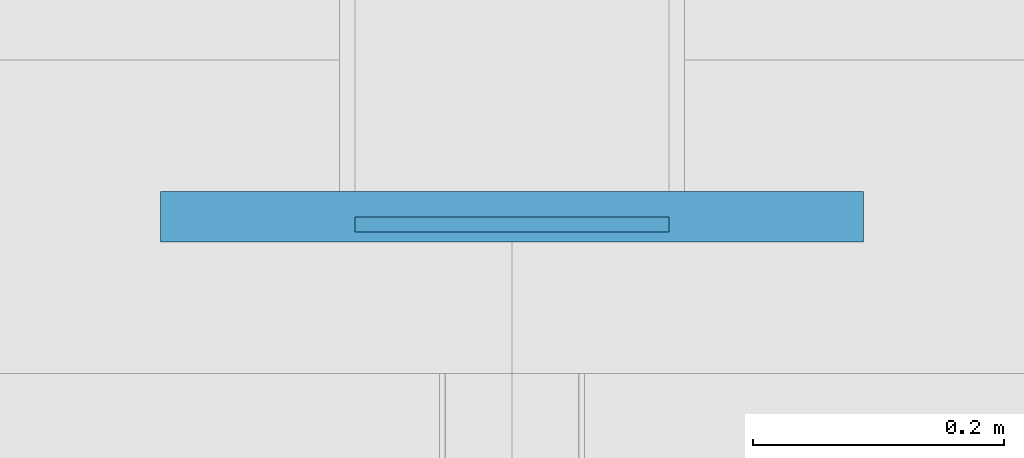
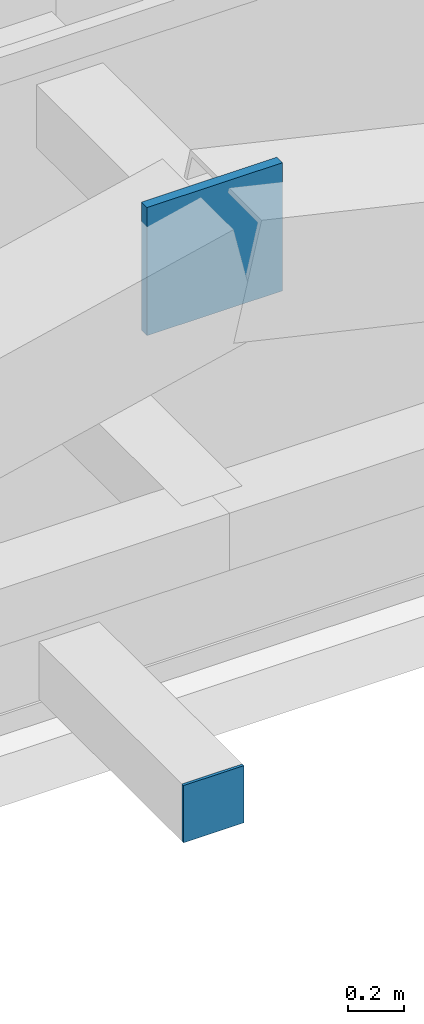
# One storey, part 45 of 59: 2 plates.
"""IFC4 building model written with IfcOpenShell, lengths in metres."""

from ifc_helpers import new_model, si_unit, direction, frame, origin, origin_2d, place, context, subcontext, project, spatial, rectangle, extrude, source, transform, mapped, material, layer, layer_set, type_object, element, save


model = new_model("IFC4")

# Units and contexts
model_context = context("Model", 3, precision=1e-05, world=origin(), true_north=direction((0.0, 1.0)))
body_context = subcontext(model_context, "Body", "Model", "MODEL_VIEW")
ifc_project = project(units=[si_unit("LENGTHUNIT", "METRE"), si_unit("AREAUNIT", "SQUARE_METRE"), si_unit("VOLUMEUNIT", "CUBIC_METRE"), si_unit("PLANEANGLEUNIT", "RADIAN"), si_unit("MASSUNIT", "GRAM", prefix="KILO")], contexts=[model_context])

# Site, building, storey
site_placement = place(None, origin())
site = spatial("IfcSite", under=ifc_project, at=site_placement, CompositionType="ELEMENT")
building_placement = place(site_placement, origin())
building = spatial("IfcBuilding", under=site, at=building_placement, Name="Taldren Reach Tower", CompositionType="ELEMENT")
storey_placement = place(building_placement, frame((0.0, 0.0, 45.14990234375)))
storey = spatial("IfcBuildingStorey", under=building, at=storey_placement, Name="L13", CompositionType="ELEMENT", Elevation=45.14990234375)

# Plates
ifc_material_1 = material(Name="Steel Gr 450 (C450L0)", Category="steel")
ifc_layer_1 = layer(ifc_material_1, 0.0400390625)
ifc_layer_set_1 = layer_set([ifc_layer_1], Name="Steel Gr 450 (C450L0)")
plate_type_1 = type_object("IfcPlateType", Name="PL-GUSSET-40", PredefinedType="SHEET", material=ifc_layer_set_1)
shared_shape_1 = source(origin(), body_context, "Body", "SweptSolid", [
    extrude(rectangle(XDim=0.56005859375, YDim=0.0400390625, at=origin_2d()), origin(), (0.0, 0.0, 1.0), 0.56005859375),
])
plate_1_placement = place(storey_placement, frame((29.760009765625, 0.60009765625, 2.3701171875), z_axis=(0.0, 0.0, 1.0), x_axis=(1.0, 0.0, 0.0)))
element("IfcPlate", 1, at=plate_1_placement, inside=storey, type_object=plate_type_1, Name="Exoskeleton star-node gusset plate B1-S3 L13", PredefinedType="SHEET", context=body_context, shape_type="MappedRepresentation", body=[
    mapped(shared_shape_1, transform((0.0, 0.0, 0.0), scale=1.0)),
])
ifc_material_2 = material(Name="Steel Gr 350 (C350L0)", Category="steel")
ifc_layer_2 = layer(ifc_material_2, 0.011962890625)
ifc_layer_set_2 = layer_set([ifc_layer_2], Name="Steel Gr 350 (C350L0)")
plate_type_2 = type_object("IfcPlateType", Name="PL-CAP-250", PredefinedType="SHEET", material=ifc_layer_set_2)
shared_shape_2 = source(origin(), body_context, "Body", "SweptSolid", [
    extrude(rectangle(XDim=0.25, YDim=0.011962890625, at=origin_2d()), origin(), (0.0, 0.0, 1.0), 0.25),
])
plate_2_placement = place(storey_placement, frame((29.760009765625, 0.593994140625, 0.09521484375), z_axis=(0.0, 0.0, 1.0), x_axis=(1.0, 0.0, 0.0)))
element("IfcPlate", 2, at=plate_2_placement, inside=storey, type_object=plate_type_2, Name="Tie strut end cap plate B1-S3 L13", PredefinedType="SHEET", context=body_context, shape_type="MappedRepresentation", body=[
    mapped(shared_shape_2, transform((0.0, 0.0, 0.0), scale=1.0)),
])

save(model, "model.ifc")
